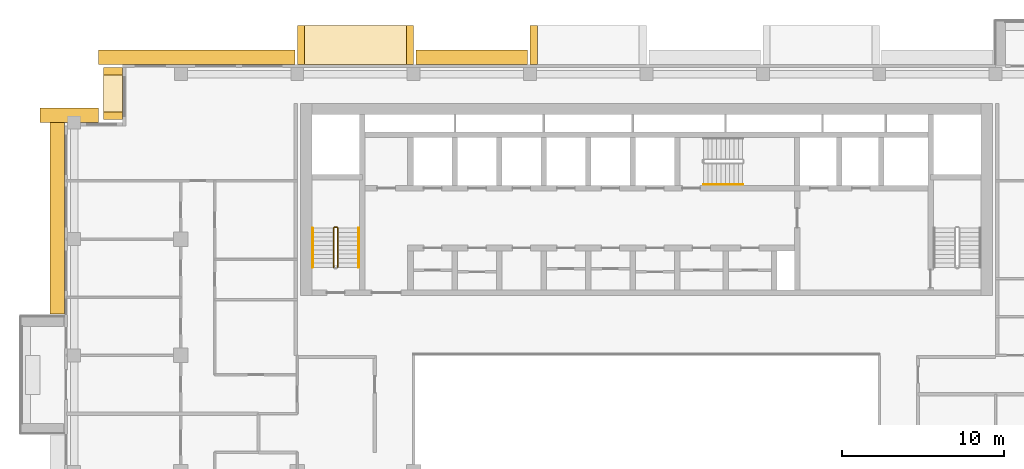
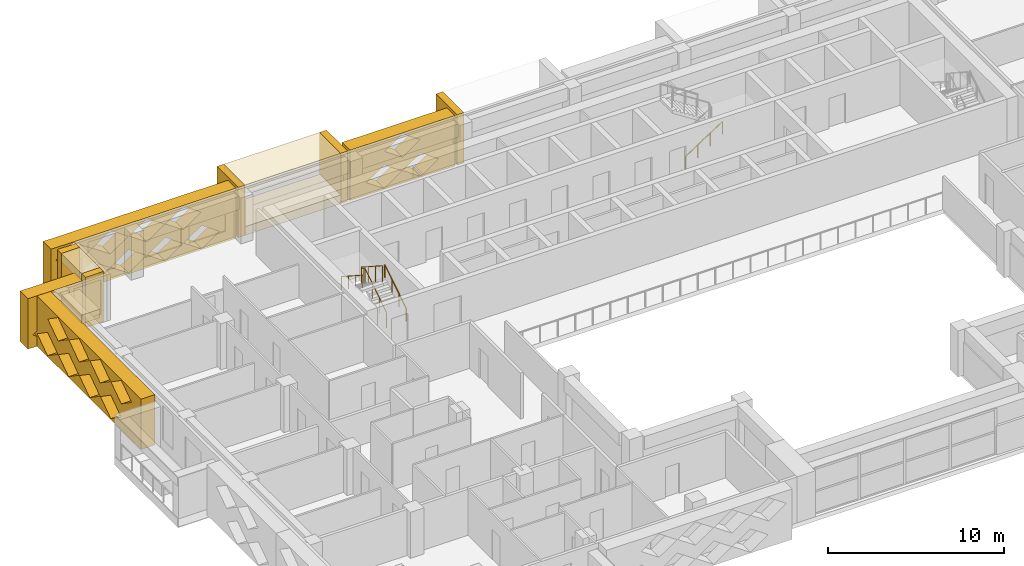
# One storey, part 18 of 20: 13 coverings, 4 railings.
"""IFC4 building model written with IfcOpenShell, lengths in metres."""

from ifc_helpers import new_model, si_unit, direction, frame, origin, origin_2d, place, context, subcontext, project, spatial, polyline, circle, outline, extrude, material, type_object, element, save


model = new_model("IFC4")

# Units and contexts
model_context = context("Model", 3, precision=1e-05, world=origin(), true_north=direction((0.0, 1.0)))
body_context = subcontext(model_context, "Body", "Model", "MODEL_VIEW")
ifc_project = project(units=[si_unit("LENGTHUNIT", "METRE"), si_unit("AREAUNIT", "SQUARE_METRE"), si_unit("VOLUMEUNIT", "CUBIC_METRE"), si_unit("PLANEANGLEUNIT", "RADIAN"), si_unit("MASSUNIT", "GRAM", prefix="KILO")], contexts=[model_context])

# Site, building, storey
site_placement = place(None, origin())
site = spatial("IfcSite", under=ifc_project, at=site_placement, CompositionType="ELEMENT")
building_placement = place(site_placement, origin())
building = spatial("IfcBuilding", under=site, at=building_placement, Name="Saffron Iwan Residences", CompositionType="ELEMENT")
storey_placement = place(building_placement, frame((0.0, 0.0, 188.5)))
storey = spatial("IfcBuildingStorey", under=building, at=storey_placement, Name="L50", CompositionType="ELEMENT", Elevation=188.5)

# Coverings
ifc_material_1 = material(Name="Precast concrete C40/50", Category="concrete")
covering_type_1 = type_object("IfcCoveringType", Name="OUTER SKIN LATTICE SCREEN", PredefinedType="CLADDING", material=ifc_material_1)
covering_1_placement = place(storey_placement, frame((43.050048828125, 80.39990234375, -0.300048828125), z_axis=(0.0, 1.0, 0.0), x_axis=(-1.0, 0.0, 0.0)))
element("IfcCovering", 1, at=covering_1_placement, inside=storey, type_object=covering_type_1, Name="OUTER SKIN lattice screen L50 F5.3", PredefinedType="CLADDING", context=body_context, shape_type="SweptSolid", body=[
    extrude(outline(polyline([(0.0, 0.0), (6.89990234375, 0.0), (6.89990234375, 3.5), (0.0, 3.5), (0.0, 0.0)]), holes=[polyline([(1.070068359375, 0.875), (2.25, 0.06005859375), (3.429931640625, 0.875), (2.25, 1.68994140625), (1.070068359375, 0.875)]), polyline([(3.469970703125, 0.875), (4.64990234375, 0.06005859375), (5.830078125, 0.875), (4.64990234375, 1.68994140625), (3.469970703125, 0.875)]), polyline([(2.27001953125, 2.625), (3.449951171875, 1.81005859375), (4.6298828125, 2.625), (3.449951171875, 3.43994140625), (2.27001953125, 2.625)])]), origin(), (0.0, 0.0, 1.0), 0.900146484375),
])
covering_2_placement = place(storey_placement, frame((28.64990234375, 80.39990234375, -0.300048828125), z_axis=(0.0, 1.0, 0.0), x_axis=(-1.0, 0.0, 0.0)))
element("IfcCovering", 2, at=covering_2_placement, inside=storey, type_object=covering_type_1, Name="OUTER SKIN lattice screen L50 F5.4", PredefinedType="CLADDING", context=body_context, shape_type="SweptSolid", body=[
    extrude(outline(polyline([(0.0, 0.0), (12.14990234375, 0.0), (12.14990234375, 3.5), (0.0, 3.5), (0.0, 0.0)]), holes=[polyline([(1.070068359375, 0.875), (2.25, 0.06005859375), (3.429931640625, 0.875), (2.25, 1.68994140625), (1.070068359375, 0.875)]), polyline([(3.469970703125, 0.875), (4.64990234375, 0.06005859375), (5.830078125, 0.875), (4.64990234375, 1.68994140625), (3.469970703125, 0.875)]), polyline([(5.8701171875, 0.875), (7.050048828125, 0.06005859375), (8.22998046875, 0.875), (7.050048828125, 1.68994140625), (5.8701171875, 0.875)]), polyline([(8.27001953125, 0.875), (9.449951171875, 0.06005859375), (10.6298828125, 0.875), (9.449951171875, 1.68994140625), (8.27001953125, 0.875)]), polyline([(2.27001953125, 2.625), (3.449951171875, 1.81005859375), (4.6298828125, 2.625), (3.449951171875, 3.43994140625), (2.27001953125, 2.625)]), polyline([(4.669921875, 2.625), (5.85009765625, 1.81005859375), (7.030029296875, 2.625), (5.85009765625, 3.43994140625), (4.669921875, 2.625)]), polyline([(7.070068359375, 2.625), (8.25, 1.81005859375), (9.429931640625, 2.625), (8.25, 3.43994140625), (7.070068359375, 2.625)]), polyline([(9.469970703125, 2.625), (10.64990234375, 1.81005859375), (11.830078125, 2.625), (10.64990234375, 3.43994140625), (9.469970703125, 2.625)])]), origin(), (0.0, 0.0, 1.0), 0.900146484375),
])
covering_3_placement = place(storey_placement, frame((16.5, 76.800048828125, -0.300048828125), z_axis=(0.0, 1.0, 0.0), x_axis=(-1.0, 0.0, 0.0)))
element("IfcCovering", 3, at=covering_3_placement, inside=storey, type_object=covering_type_1, Name="OUTER SKIN lattice screen L50 F7.0", PredefinedType="CLADDING", context=body_context, shape_type="SweptSolid", body=[
    extrude(outline(polyline([(0.0, 0.0), (3.60009765625, 0.0), (3.60009765625, 3.5), (0.0, 3.5), (0.0, 0.0)]), holes=[polyline([(0.919921875, 0.875), (2.10009765625, 0.06005859375), (3.280029296875, 0.875), (2.10009765625, 1.68994140625), (0.919921875, 0.875)])]), origin(), (0.0, 0.0, 1.0), 0.89990234375),
])
covering_4_placement = place(storey_placement, frame((14.39990234375, 77.699951171875, -0.300048828125), z_axis=(-1.0, 0.0, 0.0), x_axis=(0.0, -1.0, 0.0)))
element("IfcCovering", 4, at=covering_4_placement, inside=storey, type_object=covering_type_1, Name="OUTER SKIN lattice screen L50 F8.0", PredefinedType="CLADDING", context=body_context, shape_type="SweptSolid", body=[
    extrude(outline(polyline([(0.0, 0.0), (12.75, 0.0), (12.75, 3.5), (0.0, 3.5), (0.0, 0.0)]), holes=[polyline([(0.919921875, 0.875), (2.10009765625, 0.06005859375), (3.280029296875, 0.875), (2.10009765625, 1.68994140625), (0.919921875, 0.875)]), polyline([(3.320068359375, 0.875), (4.5, 0.06005859375), (5.679931640625, 0.875), (4.5, 1.68994140625), (3.320068359375, 0.875)]), polyline([(5.719970703125, 0.875), (6.89990234375, 0.06005859375), (8.080078125, 0.875), (6.89990234375, 1.68994140625), (5.719970703125, 0.875)]), polyline([(8.1201171875, 0.875), (9.300048828125, 0.06005859375), (10.47998046875, 0.875), (9.300048828125, 1.68994140625), (8.1201171875, 0.875)]), polyline([(2.1201171875, 2.625), (3.300048828125, 1.81005859375), (4.47998046875, 2.625), (3.300048828125, 3.43994140625), (2.1201171875, 2.625)]), polyline([(4.52001953125, 2.625), (5.699951171875, 1.81005859375), (6.8798828125, 2.625), (5.699951171875, 3.43994140625), (4.52001953125, 2.625)]), polyline([(6.919921875, 2.625), (8.10009765625, 1.81005859375), (9.280029296875, 2.625), (8.10009765625, 3.43994140625), (6.919921875, 2.625)]), polyline([(9.320068359375, 2.625), (10.5, 1.81005859375), (11.679931640625, 2.625), (10.5, 3.43994140625), (9.320068359375, 2.625)])]), origin(), (0.0, 0.0, 1.0), 0.89990234375),
])

# Railings
ifc_material_2 = material(Name="Steel S355", Category="steel")
railing_type_1 = type_object("IfcRailingType", Name="Stair guard 1100", PredefinedType="GUARDRAIL", material=ifc_material_2)
railing_1_placement = place(storey_placement, frame((31.300048828125, 67.85009765625, 0.175048828125)))
element("IfcRailing", 5, at=railing_1_placement, inside=storey, type_object=railing_type_1, Name="L50 ST-W stair guard 1", PredefinedType="GUARDRAIL", context=body_context, shape_type="SweptSolid", body=[
    extrude(circle(Radius=0.02392578125, at=origin_2d()), frame((0.0, 0.0, 1.076171875), z_axis=(0.0, 0.839153699163, 0.543894354798), x_axis=(-1.0, 0.0, 0.0)), (0.0, 0.0, 1.0), 2.895751953125),
    extrude(circle(Radius=0.02392578125, at=origin_2d()), frame((0.0, 2.429931640625, 2.65087890625), z_axis=(-0.707106781187, 0.707106781187, 0.0), x_axis=(-0.707106781187, -0.707106781187, 0.0)), (0.0, 0.0, 1.0), 0.07080078125),
    extrude(circle(Radius=0.02392578125, at=origin_2d()), frame((-0.050048828125, 2.47998046875, 2.65087890625), z_axis=(-1.0, 0.0, 0.0), x_axis=(0.0, -1.0, 0.0)), (0.0, 0.0, 1.0), 0.14990234375),
    extrude(circle(Radius=0.02392578125, at=origin_2d()), frame((-0.199951171875, 2.47998046875, 2.65087890625), z_axis=(-0.265065253269, -0.265065253269, 0.927081885822), x_axis=(0.707106781187, -0.707106781187, 0.0)), (0.0, 0.0, 1.0), 0.188720703125),
    extrude(circle(Radius=0.02392578125, at=origin_2d()), frame((-0.25, 2.429931640625, 2.826171875), z_axis=(0.0, -0.839153699163, 0.543894354798), x_axis=(1.0, 0.0, 0.0)), (0.0, 0.0, 1.0), 2.895751953125),
    extrude(circle(Radius=0.02099609375, at=origin_2d()), origin(), (0.0, 0.0, 1.0), 1.052001953125),
    extrude(circle(Radius=0.02099609375, at=origin_2d()), frame((0.0, 0.81005859375, 0.52490234375)), (0.0, 0.0, 1.0), 1.052001953125),
    extrude(circle(Radius=0.02099609375, at=origin_2d()), frame((0.0, 1.619873046875, 1.050048828125)), (0.0, 0.0, 1.0), 1.052001953125),
    extrude(circle(Radius=0.02099609375, at=origin_2d()), frame((0.0, 2.429931640625, 1.574951171875)), (0.0, 0.0, 1.0), 1.052001953125),
    extrude(circle(Radius=0.02099609375, at=origin_2d()), frame((-0.050048828125, 2.47998046875, 1.574951171875)), (0.0, 0.0, 1.0), 1.052001953125),
    extrude(circle(Radius=0.02099609375, at=origin_2d()), frame((-0.199951171875, 2.47998046875, 1.574951171875)), (0.0, 0.0, 1.0), 1.052001953125),
    extrude(circle(Radius=0.02099609375, at=origin_2d()), frame((-0.25, 2.429931640625, 1.75)), (0.0, 0.0, 1.0), 1.052001953125),
    extrude(circle(Radius=0.02099609375, at=origin_2d()), frame((-0.25, 1.619873046875, 2.27490234375)), (0.0, 0.0, 1.0), 1.052001953125),
    extrude(circle(Radius=0.02099609375, at=origin_2d()), frame((-0.25, 0.81005859375, 2.800048828125)), (0.0, 0.0, 1.0), 1.052001953125),
    extrude(circle(Radius=0.02099609375, at=origin_2d()), frame((-0.25, 0.0, 3.324951171875)), (0.0, 0.0, 1.0), 1.052001953125),
])
ifc_material_3 = material(Name="Stainless steel 316", Category="steel")
railing_type_2 = type_object("IfcRailingType", Name="Stair handrail 900", PredefinedType="HANDRAIL", material=ifc_material_3)
railing_2_placement = place(storey_placement, frame((32.60009765625, 67.85009765625, 0.175048828125)))
element("IfcRailing", 6, at=railing_2_placement, inside=storey, type_object=railing_type_2, Name="L50 ST-W stair handrail 1", PredefinedType="HANDRAIL", context=body_context, shape_type="SweptSolid", body=[
    extrude(circle(Radius=0.02392578125, at=origin_2d()), frame((0.0, 0.0, 0.8759765625), z_axis=(0.0, 0.839153699163, 0.543894354798), x_axis=(-1.0, 0.0, 0.0)), (0.0, 0.0, 1.0), 2.895751953125),
    extrude(circle(Radius=0.02099609375, at=origin_2d()), origin(), (0.0, 0.0, 1.0), 0.851806640625),
    extrude(circle(Radius=0.02099609375, at=origin_2d()), frame((0.0, 0.81005859375, 0.52490234375)), (0.0, 0.0, 1.0), 0.851806640625),
    extrude(circle(Radius=0.02099609375, at=origin_2d()), frame((0.0, 1.619873046875, 1.050048828125)), (0.0, 0.0, 1.0), 0.851806640625),
    extrude(circle(Radius=0.02099609375, at=origin_2d()), frame((0.0, 2.429931640625, 1.574951171875)), (0.0, 0.0, 1.0), 0.851806640625),
])
railing_3_placement = place(storey_placement, frame((29.75, 70.280029296875, 1.925048828125)))
element("IfcRailing", 7, at=railing_3_placement, inside=storey, type_object=railing_type_2, Name="L50 ST-W stair handrail 2", PredefinedType="HANDRAIL", context=body_context, shape_type="SweptSolid", body=[
    extrude(circle(Radius=0.02392578125, at=origin_2d()), frame((0.0, 0.0, 0.8759765625), z_axis=(0.0, -0.839153699163, 0.543894354798), x_axis=(1.0, 0.0, 0.0)), (0.0, 0.0, 1.0), 2.895751953125),
    extrude(circle(Radius=0.02099609375, at=origin_2d()), origin(), (0.0, 0.0, 1.0), 0.851806640625),
    extrude(circle(Radius=0.02099609375, at=origin_2d()), frame((0.0, -0.81005859375, 0.52490234375)), (0.0, 0.0, 1.0), 0.851806640625),
    extrude(circle(Radius=0.02099609375, at=origin_2d()), frame((0.0, -1.619873046875, 1.050048828125)), (0.0, 0.0, 1.0), 0.851806640625),
    extrude(circle(Radius=0.02099609375, at=origin_2d()), frame((0.0, -2.429931640625, 1.574951171875)), (0.0, 0.0, 1.0), 0.851806640625),
])
railing_4_placement = place(storey_placement, frame((53.925048828125, 72.97509765625, 0.175048828125)))
element("IfcRailing", 8, at=railing_4_placement, inside=storey, type_object=railing_type_2, Name="L50 ST-C stair handrail 1", PredefinedType="HANDRAIL", context=body_context, shape_type="SweptSolid", body=[
    extrude(circle(Radius=0.02392578125, at=origin_2d()), frame((0.0, 0.0, 0.8759765625), z_axis=(0.839153699163, 0.0, 0.543894354798), x_axis=(0.0, 1.0, 0.0)), (0.0, 0.0, 1.0), 2.895751953125),
    extrude(circle(Radius=0.02099609375, at=origin_2d()), origin(), (0.0, 0.0, 1.0), 0.851806640625),
    extrude(circle(Radius=0.02099609375, at=origin_2d()), frame((0.81005859375, 0.0, 0.52490234375)), (0.0, 0.0, 1.0), 0.851806640625),
    extrude(circle(Radius=0.02099609375, at=origin_2d()), frame((1.619873046875, 0.0, 1.050048828125)), (0.0, 0.0, 1.0), 0.851806640625),
    extrude(circle(Radius=0.02099609375, at=origin_2d()), frame((2.429931640625, 0.0, 1.574951171875)), (0.0, 0.0, 1.0), 0.851806640625),
])

# Coverings
ifc_material_4 = material(Name="Precast concrete C40/50 white painted", Category="concrete")
covering_type_2 = type_object("IfcCoveringType", Name="WHITE SUN FRAME PRECAST", PredefinedType="CLADDING", material=ifc_material_4)
for number, where, z_axis, x_axis, name in (
    (9, (43.64990234375, 80.39990234375, -0.300048828125), (0.0, 1.0, 0.0), (-1.0, 0.0, 0.0), "Sun frame L50 F5 32.4b"),
    (10, (36.0, 80.39990234375, -0.300048828125), (0.0, 1.0, 0.0), (-1.0, 0.0, 0.0), "Sun frame L50 F5 46.8a"),
    (11, (29.25, 80.39990234375, -0.300048828125), (0.0, 1.0, 0.0), (-1.0, 0.0, 0.0), "Sun frame L50 F5 46.8b"),
):
    element("IfcCovering", number, at=place(storey_placement, frame(where, z_axis=z_axis, x_axis=x_axis)), inside=storey, type_object=covering_type_2, Name=name, PredefinedType="CLADDING", context=body_context, shape_type="SweptSolid", body=[
        extrude(outline(polyline([(0.0, 0.0), (0.449951171875, 0.0), (0.449951171875, 3.5), (0.0, 3.5), (0.0, 0.0)])), origin(), (0.0, 0.0, 1.0), 2.400146484375),
    ])
for number, where, z_axis, x_axis, name in (
    (12, (35.550048828125, 80.39990234375, 2.60009765625), (0.0, 1.0, 0.0), (-1.0, 0.0, 0.0), "Sun frame L50 F5 46.8h"),
    (13, (35.550048828125, 80.39990234375, -0.300048828125), (0.0, 1.0, 0.0), (-1.0, 0.0, 0.0), "Sun frame L50 F5 46.8s"),
):
    element("IfcCovering", number, at=place(storey_placement, frame(where, z_axis=z_axis, x_axis=x_axis)), inside=storey, type_object=covering_type_2, Name=name, PredefinedType="CLADDING", context=body_context, shape_type="SweptSolid", body=[
        extrude(outline(polyline([(0.0, 0.0), (6.300048828125, 0.0), (6.300048828125, 0.60009765625), (0.0, 0.60009765625), (0.0, 0.0)])), origin(), (0.0, 0.0, 1.0), 2.400146484375),
    ])
for number, where, z_axis, x_axis, name in (
    (14, (18.0, 80.199951171875, -0.300048828125), (-1.0, 0.0, 0.0), (0.0, -1.0, 0.0), "Sun frame L50 F6 0.2a"),
    (15, (18.0, 77.449951171875, -0.300048828125), (-1.0, 0.0, 0.0), (0.0, -1.0, 0.0), "Sun frame L50 F6 0.2b"),
):
    element("IfcCovering", number, at=place(storey_placement, frame(where, z_axis=z_axis, x_axis=x_axis)), inside=storey, type_object=covering_type_2, Name=name, PredefinedType="CLADDING", context=body_context, shape_type="SweptSolid", body=[
        extrude(outline(polyline([(0.0, 0.0), (0.449951171875, 0.0), (0.449951171875, 3.5), (0.0, 3.5), (0.0, 0.0)])), origin(), (0.0, 0.0, 1.0), 1.199951171875),
    ])
for number, where, z_axis, x_axis, name in (
    (16, (18.0, 79.75, 2.60009765625), (-1.0, 0.0, 0.0), (0.0, -1.0, 0.0), "Sun frame L50 F6 0.2h"),
    (17, (18.0, 79.75, -0.300048828125), (-1.0, 0.0, 0.0), (0.0, -1.0, 0.0), "Sun frame L50 F6 0.2s"),
):
    element("IfcCovering", number, at=place(storey_placement, frame(where, z_axis=z_axis, x_axis=x_axis)), inside=storey, type_object=covering_type_2, Name=name, PredefinedType="CLADDING", context=body_context, shape_type="SweptSolid", body=[
        extrude(outline(polyline([(0.0, 0.0), (2.300048828125, 0.0), (2.300048828125, 0.60009765625), (0.0, 0.60009765625), (0.0, 0.0)])), origin(), (0.0, 0.0, 1.0), 1.199951171875),
    ])

save(model, "model.ifc")
